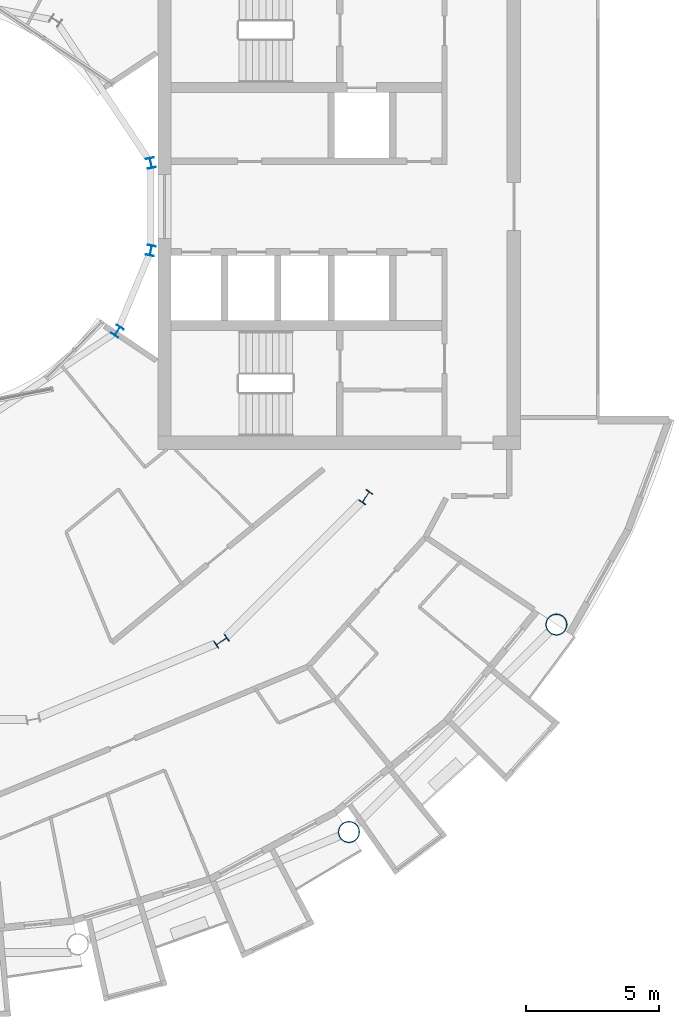
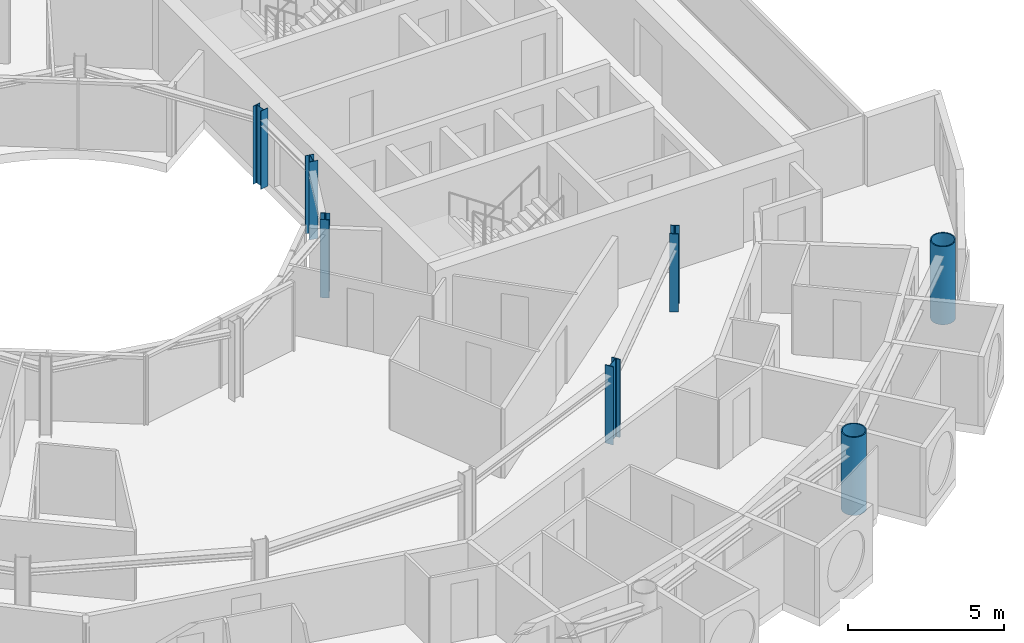
# One storey, part 2 of 27: 7 columns.
"""IFC4 building model written with IfcOpenShell, lengths in metres."""

from ifc_helpers import new_model, si_unit, direction, frame, origin, origin_2d, place, context, subcontext, project, spatial, hollow_circle, i_section, extrude, material, material_profile, profile_set, type_object, element, save


model = new_model("IFC4")

# Units and contexts
model_context = context("Model", 3, precision=1e-05, world=origin(), true_north=direction((0.0, 1.0)))
body_context = subcontext(model_context, "Body", "Model", "MODEL_VIEW")
ifc_project = project(units=[si_unit("LENGTHUNIT", "METRE"), si_unit("AREAUNIT", "SQUARE_METRE"), si_unit("VOLUMEUNIT", "CUBIC_METRE"), si_unit("PLANEANGLEUNIT", "RADIAN"), si_unit("MASSUNIT", "GRAM", prefix="KILO")], contexts=[model_context])

# Site, building, storey
site_placement = place(None, origin())
site = spatial("IfcSite", under=ifc_project, at=site_placement, CompositionType="ELEMENT")
building_placement = place(site_placement, origin())
building = spatial("IfcBuilding", under=site, at=building_placement, Name="Maasbend Ring Residences", CompositionType="ELEMENT")
storey_placement = place(building_placement, frame((0.0, 0.0, 148.25)))
storey = spatial("IfcBuildingStorey", under=building, at=storey_placement, Name="L42", CompositionType="ELEMENT", Elevation=148.25)

# Columns
ifc_material_1 = material(Name="Composite concrete-filled steel tube S460NH / C80/95", Category="concrete")
ifc_material_profile_1 = material_profile(ifc_material_1, hollow_circle(Radius=0.406494140625, WallThickness=0.0400390625, at=origin_2d()), Name="Composite tube column CHS 813x40")
ifc_profile_set_1 = profile_set([ifc_material_profile_1], Name="Composite concrete-filled steel tube S460NH / C80/95")
column_type_1 = type_object("IfcColumnType", Name="Composite tube column CHS 813x40", PredefinedType="COLUMN", material=ifc_profile_set_1)
for number, where, z_axis, x_axis, name in (
    (1, (15.6669921875, -23.447509765625, 0.0), (0.0, 0.0, 1.0), (1.0, 0.0, 0.0), "Outer column R14"),
    (2, (23.447509765625, -15.6669921875, 0.0), (0.0, 0.0, 1.0), (1.0, 0.0, 0.0), "Outer column R15"),
):
    element("IfcColumn", number, at=place(storey_placement, frame(where, z_axis=z_axis, x_axis=x_axis)), inside=storey, type_object=column_type_1, Name=name, PredefinedType="COLUMN", context=body_context, shape_type="SweptSolid", body=[
        extrude(hollow_circle(Radius=0.406494140625, WallThickness=0.0400390625, at=origin_2d()), origin(), (0.0, 0.0, 1.0), 3.050048828125),
    ])
ifc_material_2 = material(Name="Steel S355J2", Category="steel")
ifc_material_profile_2 = material_profile(ifc_material_2, i_section(OverallWidth=0.300048828125, OverallDepth=0.389892578125, WebThickness=0.010986328125, FlangeThickness=0.01904296875, FilletRadius=0.027099609375, at=origin_2d()), Name="HEA 400")
ifc_profile_set_2 = profile_set([ifc_material_profile_2], Name="Steel S355J2")
column_type_2 = type_object("IfcColumnType", Name="Steel column HEA 400", PredefinedType="COLUMN", material=ifc_profile_set_2)
for number, where, z_axis, x_axis, name in (
    (3, (8.238525390625, 1.638916015625, 0.0), (0.0, 0.0, 1.0), (0.980785280403, 0.195090322016, 0.0), "Well ring column R1"),
    (4, (6.984375, -4.666748046875, 0.0), (0.0, 0.0, 1.0), (0.831469612303, -0.55557023302, 0.0), "Well ring column R15"),
    (5, (8.238525390625, -1.638916015625, 0.0), (0.0, 0.0, 1.0), (0.980785280403, -0.195090322016, 0.0), "Well ring column R16"),
):
    element("IfcColumn", number, at=place(storey_placement, frame(where, z_axis=z_axis, x_axis=x_axis)), inside=storey, type_object=column_type_2, Name=name, PredefinedType="COLUMN", context=body_context, shape_type="SweptSolid", body=[
        extrude(i_section(OverallWidth=0.300048828125, OverallDepth=0.389892578125, WebThickness=0.010986328125, FlangeThickness=0.01904296875, FilletRadius=0.027099609375, at=origin_2d()), origin(), (0.0, 0.0, 1.0), 3.050048828125),
    ])
ifc_material_3 = material(Name="Steel S355J2", Category="steel")
ifc_material_profile_3 = material_profile(ifc_material_3, i_section(OverallWidth=0.300048828125, OverallDepth=0.5, WebThickness=0.014404296875, FlangeThickness=0.028076171875, FilletRadius=0.027099609375, at=origin_2d()), Name="HEB 500")
ifc_profile_set_3 = profile_set([ifc_material_profile_3], Name="Steel S355J2")
column_type_3 = type_object("IfcColumnType", Name="Steel column HEB 500", PredefinedType="COLUMN", material=ifc_profile_set_3)
for number, where, z_axis, x_axis, name in (
    (6, (10.88916015625, -16.296875, 0.0), (0.0, 0.0, 1.0), (0.55557023302, -0.831469612303, 0.0), "Corridor ring column R14"),
    (7, (16.296875, -10.88916015625, 0.0), (0.0, 0.0, 1.0), (0.831469612303, -0.55557023302, 0.0), "Corridor ring column R15"),
):
    element("IfcColumn", number, at=place(storey_placement, frame(where, z_axis=z_axis, x_axis=x_axis)), inside=storey, type_object=column_type_3, Name=name, PredefinedType="COLUMN", context=body_context, shape_type="SweptSolid", body=[
        extrude(i_section(OverallWidth=0.300048828125, OverallDepth=0.5, WebThickness=0.014404296875, FlangeThickness=0.028076171875, FilletRadius=0.027099609375, at=origin_2d()), origin(), (0.0, 0.0, 1.0), 3.050048828125),
    ])

save(model, "model.ifc")
